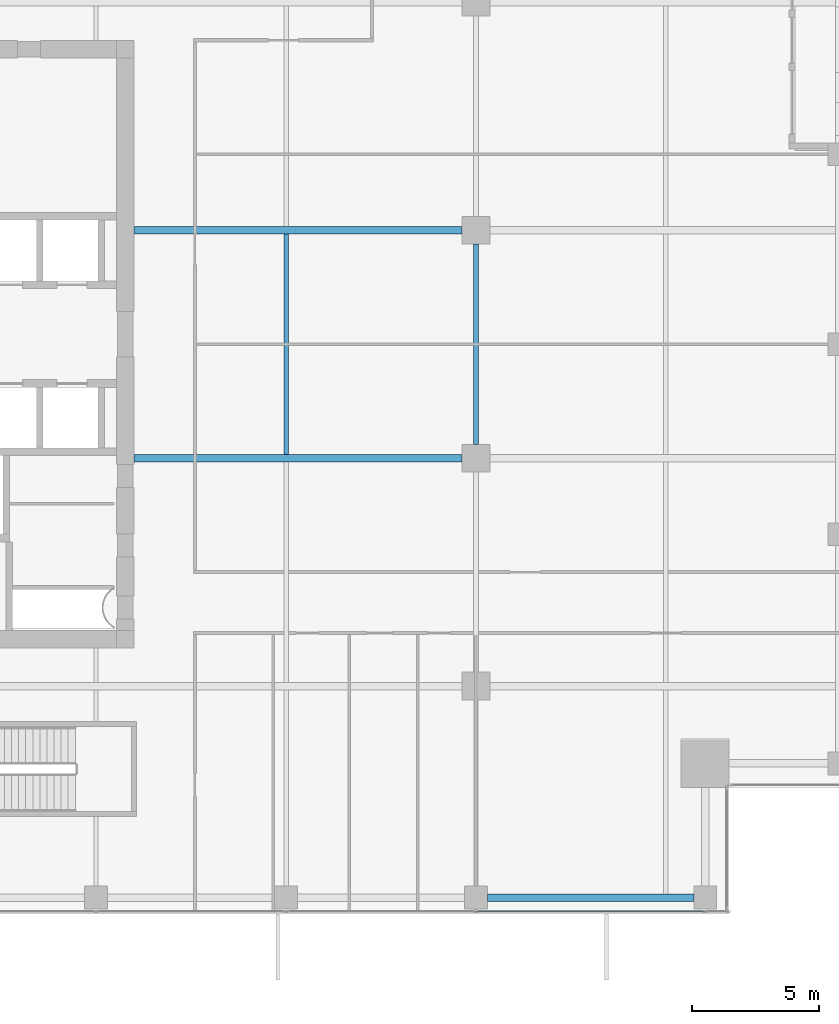
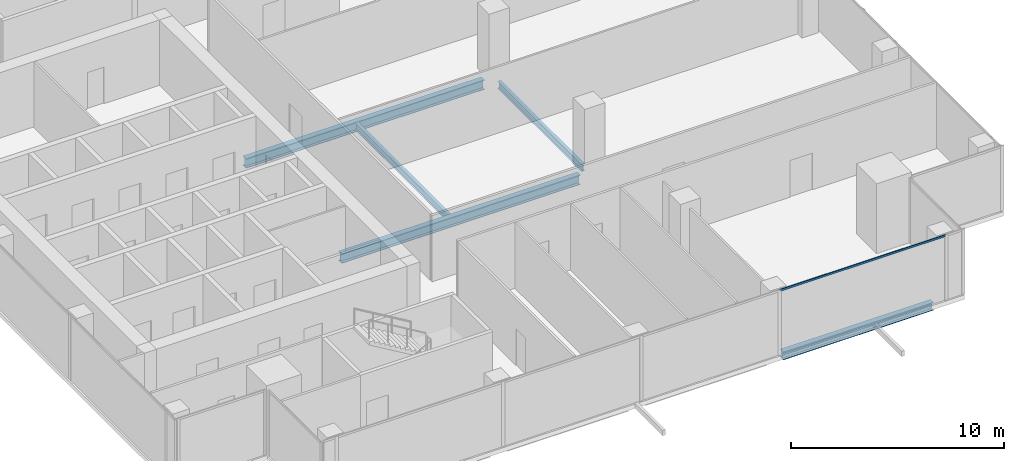
# One storey, part 8 of 34: 5 beams, 1 member, 1 element without a shape of its own.
"""IFC4 building model written with IfcOpenShell, lengths in metres."""

from ifc_helpers import new_model, si_unit, direction, frame, origin, origin_2d, place, context, subcontext, project, spatial, hollow_rectangle, i_section, extrude, source, transform, mapped, material, material_profile, profile_set, type_object, element, aggregate, save


model = new_model("IFC4")

# Units and contexts
model_context = context("Model", 3, precision=1e-05, world=origin(), true_north=direction((0.0, 1.0)))
body_context = subcontext(model_context, "Body", "Model", "MODEL_VIEW")
ifc_project = project(units=[si_unit("LENGTHUNIT", "METRE"), si_unit("AREAUNIT", "SQUARE_METRE"), si_unit("VOLUMEUNIT", "CUBIC_METRE"), si_unit("PLANEANGLEUNIT", "RADIAN"), si_unit("MASSUNIT", "GRAM", prefix="KILO")], contexts=[model_context])

# Site, building, storey
site_placement = place(None, origin())
site = spatial("IfcSite", under=ifc_project, at=site_placement, CompositionType="ELEMENT")
building_placement = place(site_placement, origin())
building = spatial("IfcBuilding", under=site, at=building_placement, Name="Khomas Fold Tower", CompositionType="ELEMENT")
storey_placement = place(building_placement, frame((0.0, 0.0, 254.199951171875)))
storey = spatial("IfcBuildingStorey", under=building, at=storey_placement, Name="L57", CompositionType="ELEMENT", Elevation=254.199951171875)

# Beams
ifc_material_1 = material(Name="Steel S355", Category="steel")
ifc_material_profile_1 = material_profile(ifc_material_1, i_section(OverallWidth=0.179931640625, OverallDepth=0.39990234375, WebThickness=0.008544921875, FlangeThickness=0.013427734375, at=origin_2d()), Name="IPE 400")
ifc_profile_set_1 = profile_set([ifc_material_profile_1], Name="Steel S355")
beam_type_1 = type_object("IfcBeamType", Name="IPE 400 beam JB3", PredefinedType="BEAM", material=ifc_profile_set_1)
shared_shape_1 = source(origin(), body_context, "Body", "SweptSolid", [
    extrude(i_section(OverallWidth=0.179931640625, OverallDepth=0.39990234375, WebThickness=0.008544921875, FlangeThickness=0.013427734375, at=origin_2d()), origin(), (0.0, 0.0, 1.0), 8.7001953125),
])
beam_1_placement = place(storey_placement, frame((27.0, 22.64990234375, -0.449951171875), z_axis=(0.0, 1.0, 0.0), x_axis=(-1.0, 0.0, 0.0)))
element("IfcBeam", 1, at=beam_1_placement, inside=storey, type_object=beam_type_1, Name="JB3", PredefinedType="BEAM", context=body_context, shape_type="MappedRepresentation", body=[
    mapped(shared_shape_1, transform((0.0, 0.0, 0.0))),
])
ifc_material_2 = material(Name="Steel S355", Category="steel")
ifc_material_profile_2 = material_profile(ifc_material_2, i_section(OverallWidth=0.300048828125, OverallDepth=0.449951171875, WebThickness=0.013916015625, FlangeThickness=0.02587890625, at=origin_2d()), Name="HE 450 B")
ifc_profile_set_2 = profile_set([ifc_material_profile_2], Name="Steel S355")
beam_type_2 = type_object("IfcBeamType", Name="HE 450 B spandrel SB4", PredefinedType="SPANDREL", material=ifc_profile_set_2)
shared_shape_2 = source(origin(), body_context, "Body", "SweptSolid", [
    extrude(i_section(OverallWidth=0.300048828125, OverallDepth=0.449951171875, WebThickness=0.013916015625, FlangeThickness=0.02587890625, at=origin_2d()), origin(), (0.0, 0.0, 1.0), 8.150146484375),
])
beam_2_placement = place(storey_placement, frame((34.949951171875, 5.14990234375, -0.474853515625), z_axis=(1.0, 0.0, 0.0), x_axis=(0.0, 1.0, 0.0)))
element("IfcBeam", 2, at=beam_2_placement, inside=storey, type_object=beam_type_2, Name="SB4", PredefinedType="SPANDREL", context=body_context, shape_type="MappedRepresentation", body=[
    mapped(shared_shape_2, transform((0.0, 0.0, 0.0))),
])
ifc_material_3 = material(Name="Steel S355", Category="steel")
ifc_material_profile_3 = material_profile(ifc_material_3, i_section(OverallWidth=0.300048828125, OverallDepth=0.550048828125, WebThickness=0.014892578125, FlangeThickness=0.029052734375, at=origin_2d()), Name="HE 550 B")
ifc_profile_set_3 = profile_set([ifc_material_profile_3], Name="Steel S355")
beam_type_3 = type_object("IfcBeamType", Name="HE 550 B beam GB4", PredefinedType="BEAM", material=ifc_profile_set_3)
shared_shape_3 = source(origin(), body_context, "Body", "SweptSolid", [
    extrude(i_section(OverallWidth=0.300048828125, OverallDepth=0.550048828125, WebThickness=0.014892578125, FlangeThickness=0.029052734375, at=origin_2d()), origin(), (0.0, 0.0, 1.0), 12.949951171875),
])
for number, where, z_axis, x_axis, name in (
    (3, (21.0, 22.5, -0.52490234375), (1.0, 0.0, 0.0), (0.0, 1.0, 0.0), "GB4"),
    (4, (21.0, 31.5, -0.52490234375), (1.0, 0.0, 0.0), (0.0, 1.0, 0.0), "GB4"),
):
    element("IfcBeam", number, at=place(storey_placement, frame(where, z_axis=z_axis, x_axis=x_axis)), inside=storey, type_object=beam_type_3, Name=name, PredefinedType="BEAM", context=body_context, shape_type="MappedRepresentation", body=[
        mapped(shared_shape_3, transform((0.0, 0.0, 0.0))),
    ])
shared_shape_4 = source(origin(), body_context, "Body", "SweptSolid", [
    extrude(i_section(OverallWidth=0.179931640625, OverallDepth=0.39990234375, WebThickness=0.008544921875, FlangeThickness=0.013427734375, at=origin_2d()), origin(), (0.0, 0.0, 1.0), 7.89990234375),
])
beam_3_placement = place(storey_placement, frame((34.5, 23.050048828125, -0.449951171875), z_axis=(0.0, 1.0, 0.0), x_axis=(-1.0, 0.0, 0.0)))
element("IfcBeam", 5, at=beam_3_placement, inside=storey, type_object=beam_type_1, Name="JB3", PredefinedType="BEAM", context=body_context, shape_type="MappedRepresentation", body=[
    mapped(shared_shape_4, transform((0.0, 0.0, 0.0))),
])

# Curtain wall, member
ifc_material_4 = material(Name="Aluminium framed double glazing", Category="aluminium")
curtain_wall_type = type_object("IfcCurtainWallType", Name="SK-Unitised clear-glass wall, office floors CW2", PredefinedType="NOTDEFINED", material=ifc_material_4)
curtain_wall_placement = place(storey_placement, origin())
curtain_wall = element("IfcCurtainWall", 6, at=curtain_wall_placement, inside=storey, type_object=curtain_wall_type, Name="CW2 run L57 00-0", PredefinedType="NOTDEFINED")
ifc_material_5 = material(Name="Aluminium", Category="aluminium")
ifc_material_profile_4 = material_profile(ifc_material_5, hollow_rectangle(XDim=0.050048828125, YDim=0.110107421875, WallThickness=0.00390625, at=origin_2d()), Name="SK-Unitised clear-glass wall, office floors transom CW2-T")
ifc_profile_set_4 = profile_set([ifc_material_profile_4], Name="Aluminium")
member_type = type_object("IfcMemberType", Name="SK-Unitised clear-glass wall, office floors transom CW2-T", PredefinedType="USERDEFINED", material=ifc_profile_set_4)
shared_shape_5 = source(origin(), body_context, "Body", "SweptSolid", [
    extrude(hollow_rectangle(XDim=0.050048828125, YDim=0.110107421875, WallThickness=0.00390625, at=origin_2d()), origin(), (0.0, 0.0, 1.0), 8.989990234375),
])
member_placement = place(storey_placement, frame((34.530029296875, 4.60009765625, 3.695068359375), z_axis=(1.0, 0.0, 0.0), x_axis=(0.0, 1.0, 0.0)))
member = element("IfcMember", 7, at=member_placement, type_object=member_type, Name="CW2 transom 5", ObjectType="TRANSOM", PredefinedType="USERDEFINED", context=body_context, shape_type="MappedRepresentation", body=[
    mapped(shared_shape_5, transform((0.0, 0.0, 0.0))),
])
aggregate(curtain_wall, [member])

save(model, "model.ifc")
